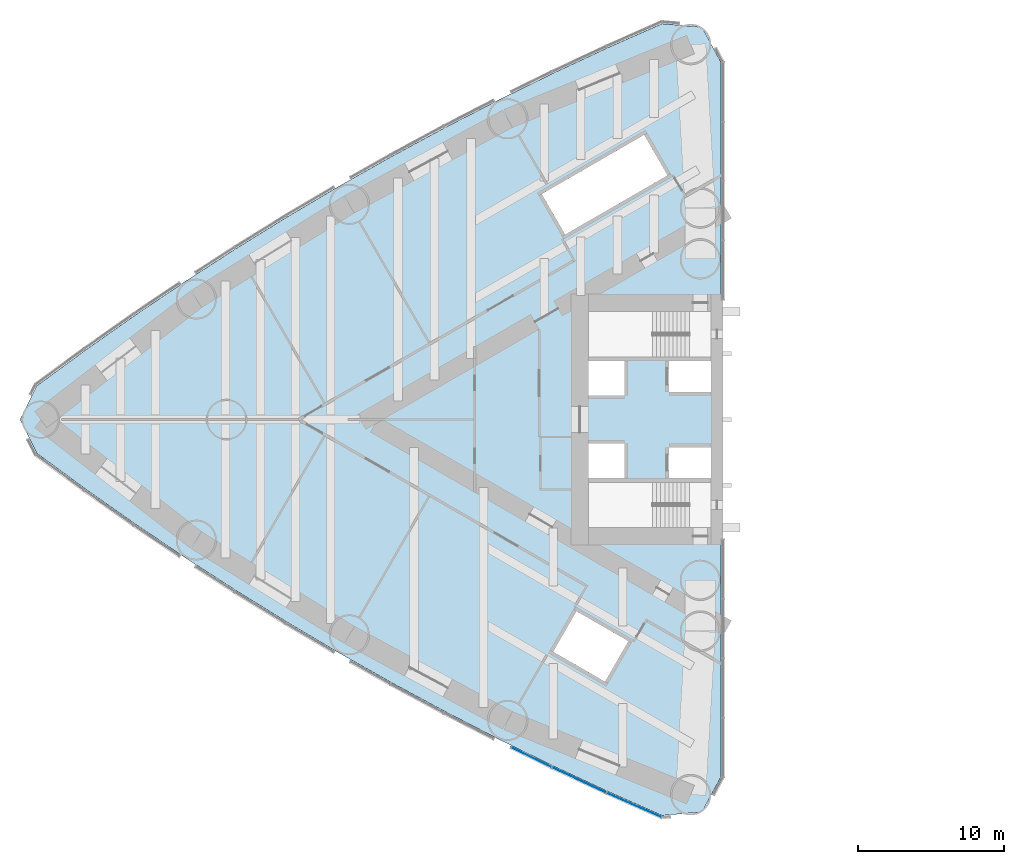
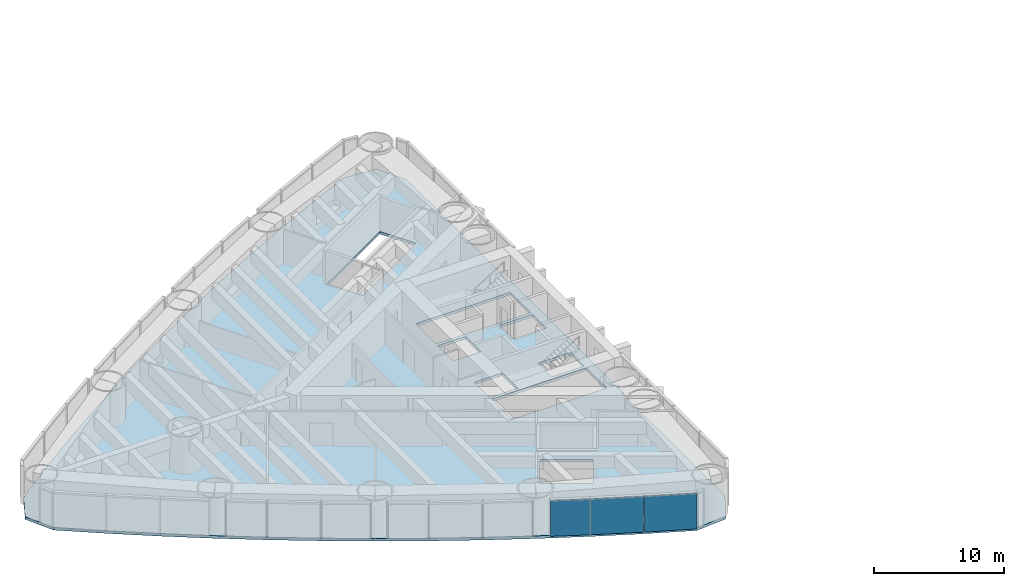
# One storey, part 11 of 20: 3 plates, 1 slab, 1 element without a shape of its own.
"""IFC4 building model written with IfcOpenShell, lengths in metres."""

from ifc_helpers import new_model, si_unit, direction, frame, origin, origin_2d, place, context, subcontext, project, spatial, polyline, rectangle, outline, extrude, material, layer, layer_set, type_object, element, aggregate, save


model = new_model("IFC4")

# Units and contexts
model_context = context("Model", 3, precision=1e-05, world=origin(), true_north=direction((0.0, 1.0)))
body_context = subcontext(model_context, "Body", "Model", "MODEL_VIEW")
ifc_project = project(units=[si_unit("LENGTHUNIT", "METRE"), si_unit("AREAUNIT", "SQUARE_METRE"), si_unit("VOLUMEUNIT", "CUBIC_METRE"), si_unit("PLANEANGLEUNIT", "RADIAN"), si_unit("MASSUNIT", "GRAM", prefix="KILO")], contexts=[model_context])

# Site, building, storey
site_placement = place(None, origin())
site = spatial("IfcSite", under=ifc_project, at=site_placement, CompositionType="ELEMENT")
building_placement = place(site_placement, origin())
building = spatial("IfcBuilding", under=site, at=building_placement, Name="Lancet Gate Hotel", CompositionType="ELEMENT")
storey_placement = place(building_placement, frame((0.0, 0.0, 77.5)))
storey = spatial("IfcBuildingStorey", under=building, at=storey_placement, Name="L20", CompositionType="ELEMENT", Elevation=77.5)

# Slab
ifc_material_1 = material(Name="Concrete C50/60", Category="concrete")
ifc_layer_1 = layer(ifc_material_1, 0.25)
ifc_layer_set_1 = layer_set([ifc_layer_1], Name="Floor slab 250")
slab_type = type_object("IfcSlabType", Name="Floor slab 250", PredefinedType="FLOOR", material=ifc_layer_set_1)
slab_placement = place(storey_placement, frame((0.0, 0.0, -0.25)))
element("IfcSlab", 1, at=slab_placement, inside=storey, type_object=slab_type, Name="T1 L20 floor slab", PredefinedType="FLOOR", context=body_context, shape_type="SweptSolid", body=[
    extrude(outline(polyline([(-27.5, 8.60009765625), (-27.6201171875, 8.60009765625), (-27.6201171875, 24.4609375), (-28.926513671875, 26.8837890625), (-31.668212890625, 27.12353515625), (-35.424072265625, 25.458740234375), (-39.173583984375, 23.70849609375), (-42.887939453125, 21.884765625), (-46.56591796875, 19.98876953125), (-50.2060546875, 18.02099609375), (-53.806884765625, 15.982421875), (-57.366943359375, 13.87353515625), (-60.88525390625, 11.695068359375), (-64.360107421875, 9.448486328125), (-67.7900390625, 7.134033203125), (-71.17431640625, 4.752685546875), (-74.488525390625, 2.322021484375), (-75.65087890625, 0.0), (-74.488525390625, -2.322021484375), (-71.17431640625, -4.752685546875), (-67.7900390625, -7.134033203125), (-64.360107421875, -9.448486328125), (-60.88525390625, -11.695068359375), (-57.366943359375, -13.87353515625), (-53.806884765625, -15.982421875), (-50.2060546875, -18.02099609375), (-46.56591796875, -19.98876953125), (-42.887939453125, -21.884765625), (-39.173583984375, -23.70849609375), (-35.424072265625, -25.458740234375), (-31.668212890625, -27.12353515625), (-28.926513671875, -26.8837890625), (-27.6201171875, -24.4609375), (-27.6201171875, -8.60009765625), (-27.5, -8.60009765625), (-27.5, -8.199951171875), (-27.5, 8.199951171875), (-27.5, 8.60009765625)]), holes=[polyline([(-36.699951171875, 7.39990234375), (-36.699951171875, 4.300048828125), (-28.300048828125, 4.300048828125), (-28.300048828125, 7.39990234375), (-36.699951171875, 7.39990234375)]), polyline([(-28.300048828125, 4.0), (-31.199951171875, 4.0), (-31.199951171875, 1.89990234375), (-28.300048828125, 1.89990234375), (-28.300048828125, 4.0)]), polyline([(-34.25, 4.0), (-36.699951171875, 4.0), (-36.699951171875, 1.64990234375), (-34.25, 1.64990234375), (-34.25, 4.0)]), polyline([(-36.699951171875, -1.64990234375), (-36.699951171875, -4.0), (-34.25, -4.0), (-34.25, -1.64990234375), (-36.699951171875, -1.64990234375)]), polyline([(-28.300048828125, -1.89990234375), (-31.199951171875, -1.89990234375), (-31.199951171875, -4.0), (-28.300048828125, -4.0), (-28.300048828125, -1.89990234375)]), polyline([(-28.300048828125, -4.300048828125), (-36.699951171875, -4.300048828125), (-36.699951171875, -7.39990234375), (-28.300048828125, -7.39990234375), (-28.300048828125, -4.300048828125)]), polyline([(-31.2900390625, 16.73095703125), (-32.889892578125, 19.501953125), (-39.904052734375, 15.451904296875), (-38.303955078125, 12.680908203125), (-31.2900390625, 16.73095703125)]), polyline([(-33.97412109375, -15.180908203125), (-37.52490234375, -13.131103515625), (-39.125, -15.902099609375), (-35.573974609375, -17.951904296875), (-33.97412109375, -15.180908203125)])]), origin(), (0.0, 0.0, 1.0), 0.25),
])

# Curtain wall, plates
ifc_material_2 = material(Name="Aluminium curtain wall", Category="aluminium")
curtain_wall_type = type_object("IfcCurtainWallType", Name="Tower unitised curtain wall", PredefinedType="USERDEFINED", material=ifc_material_2)
curtain_wall_placement = place(storey_placement, origin())
curtain_wall = element("IfcCurtainWall", 2, at=curtain_wall_placement, inside=storey, type_object=curtain_wall_type, Name="T1 L20 curtain wall 9", ObjectType="UNITISED CURTAIN WALL", PredefinedType="USERDEFINED")
ifc_material_3 = material(Name="Glass double glazed unit 8-16-6", Category="glass")
ifc_layer_2 = layer(ifc_material_3, 0.030029296875)
ifc_layer_set_2 = layer_set([ifc_layer_2], Name="Vision panel double glazed")
plate_type = type_object("IfcPlateType", Name="Vision panel double glazed", PredefinedType="CURTAIN_PANEL", material=ifc_layer_set_2)
plate_1_placement = place(storey_placement, frame((-40.62158203125, -23.131103515625, 0.0), z_axis=(0.0, 0.0, 1.0), x_axis=(0.897653295642, -0.440702349463, 0.0)))
plate_1 = element("IfcPlate", 3, at=plate_1_placement, type_object=plate_type, Name="T1 L20 curtain wall 9 panel 1", PredefinedType="CURTAIN_PANEL", context=body_context, shape_type="SweptSolid", body=[
    extrude(rectangle(XDim=3.0458984375, YDim=0.030029296875, at=origin_2d()), origin(), (0.0, 0.0, 1.0), 3.35009765625),
])
plate_2_placement = place(storey_placement, frame((-37.349609375, -24.6923828125, 0.0), z_axis=(0.0, 0.0, 1.0), x_axis=(0.906117767284, -0.423025521467, 0.0)))
plate_2 = element("IfcPlate", 4, at=plate_2_placement, type_object=plate_type, Name="T1 L20 curtain wall 9 panel 2", PredefinedType="CURTAIN_PANEL", context=body_context, shape_type="SweptSolid", body=[
    extrude(rectangle(XDim=4.0751953125, YDim=0.030029296875, at=origin_2d()), origin(), (0.0, 0.0, 1.0), 3.35009765625),
])
plate_3_placement = place(storey_placement, frame((-33.581298828125, -26.406982421875, 0.0), z_axis=(0.0, 0.0, 1.0), x_axis=(0.914234183208, -0.405186201954, 0.0)))
plate_3 = element("IfcPlate", 5, at=plate_3_placement, type_object=plate_type, Name="T1 L20 curtain wall 9 panel 3", PredefinedType="CURTAIN_PANEL", context=body_context, shape_type="SweptSolid", body=[
    extrude(rectangle(XDim=4.0751953125, YDim=0.030029296875, at=origin_2d()), origin(), (0.0, 0.0, 1.0), 3.35009765625),
])
aggregate(curtain_wall, [plate_1, plate_2, plate_3])

save(model, "model.ifc")
